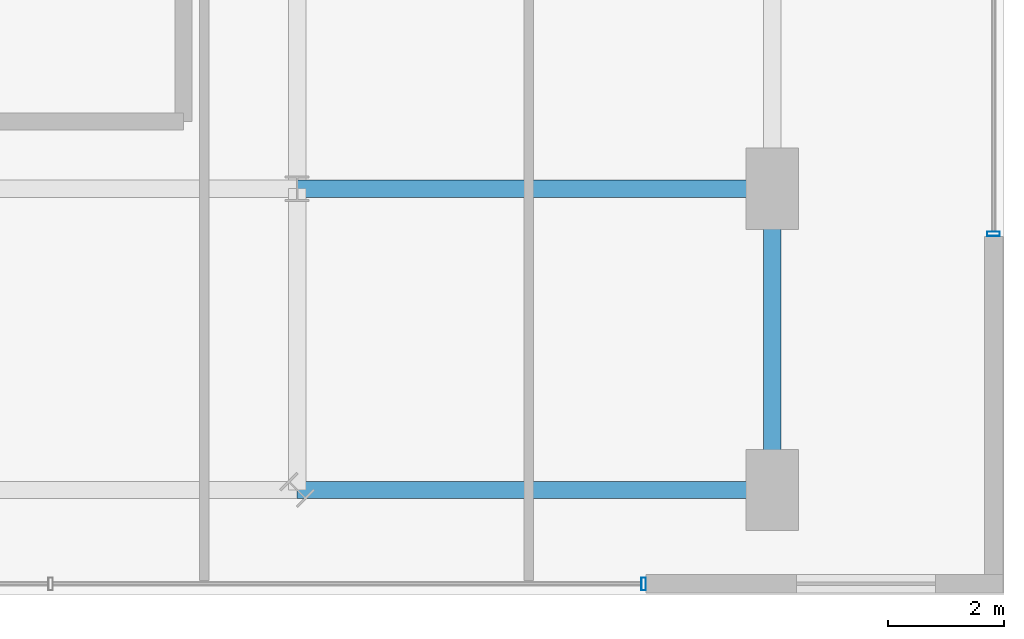
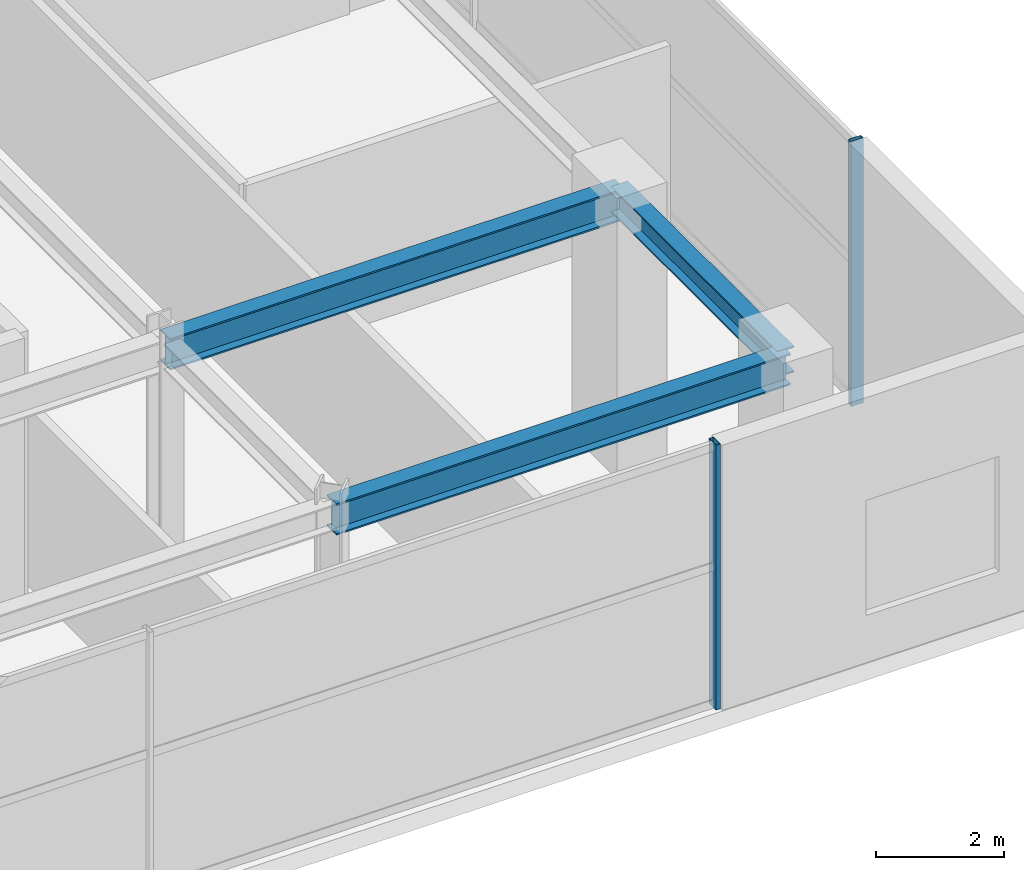
# One storey, part 21 of 32: 3 beams, 2 members, 2 elements without a shape of their own.
"""IFC4 building model written with IfcOpenShell, lengths in metres."""

from ifc_helpers import new_model, si_unit, direction, frame, origin, origin_2d, place, context, subcontext, project, spatial, hollow_rectangle, i_section, extrude, source, transform, mapped, material, material_profile, profile_set, type_object, element, aggregate, save


model = new_model("IFC4")

# Units and contexts
model_context = context("Model", 3, precision=1e-05, world=origin(), true_north=direction((0.0, 1.0)))
body_context = subcontext(model_context, "Body", "Model", "MODEL_VIEW")
ifc_project = project(units=[si_unit("LENGTHUNIT", "METRE"), si_unit("AREAUNIT", "SQUARE_METRE"), si_unit("VOLUMEUNIT", "CUBIC_METRE"), si_unit("PLANEANGLEUNIT", "RADIAN"), si_unit("MASSUNIT", "GRAM", prefix="KILO")], contexts=[model_context])

# Site, building, storey
site_placement = place(None, origin())
site = spatial("IfcSite", under=ifc_project, at=site_placement, CompositionType="ELEMENT")
building_placement = place(site_placement, origin())
building = spatial("IfcBuilding", under=site, at=building_placement, Name="Nahalor Promenade Grand Hotel", CompositionType="ELEMENT")
storey_placement = place(building_placement, frame((0.0, 0.0, 10.800048828125)))
storey = spatial("IfcBuildingStorey", under=building, at=storey_placement, Name="L02", CompositionType="ELEMENT", Elevation=10.800048828125)

# Beams
ifc_material_1 = material(Name="Steel S355JR", Category="steel")
ifc_material_profile_1 = material_profile(ifc_material_1, i_section(OverallWidth=0.3, OverallDepth=0.6, WebThickness=0.0155, FlangeThickness=0.03, at=origin_2d()), Name="HEB 600")
ifc_profile_set_1 = profile_set([ifc_material_profile_1], Name="Steel S355JR")
beam_type_1 = type_object("IfcBeamType", Name="Beam-Girder-HEB600", PredefinedType="BEAM", material=ifc_profile_set_1)
shared_shape_1 = source(origin(), body_context, "Body", "SweptSolid", [
    extrude(i_section(OverallWidth=0.3, OverallDepth=0.6, WebThickness=0.0155, FlangeThickness=0.03, at=origin_2d()), origin(), (0.0, 0.0, 1.0), 8.199951171875),
])
for number, where, z_axis, x_axis, name in (
    (1, (24.800048828125, -17.0, 4.760009765625), (1.0, 0.0, 0.0), (0.0, 1.0, 0.0), "BM-L02-GX-0-8"),
    (2, (24.800048828125, -22.199951171875, 4.760009765625), (1.0, 0.0, 0.0), (0.0, 1.0, 0.0), "BM-L02-TIE-PE--22"),
):
    element("IfcBeam", number, at=place(storey_placement, frame(where, z_axis=z_axis, x_axis=x_axis)), inside=storey, type_object=beam_type_1, Name=name, PredefinedType="BEAM", context=body_context, shape_type="MappedRepresentation", body=[
        mapped(shared_shape_1, transform((0.0, 0.0, 0.0), scale=1.0)),
    ])
ifc_material_profile_2 = material_profile(ifc_material_1, i_section(OverallWidth=0.3, OverallDepth=0.5, WebThickness=0.0145, FlangeThickness=0.028, at=origin_2d()), Name="HEB 500")
ifc_profile_set_2 = profile_set([ifc_material_profile_2], Name="Steel S355JR")
beam_type_2 = type_object("IfcBeamType", Name="Beam-Spandrel-HEB500", PredefinedType="SPANDREL", material=ifc_profile_set_2)
shared_shape_2 = source(origin(), body_context, "Body", "SweptSolid", [
    extrude(i_section(OverallWidth=0.3, OverallDepth=0.5, WebThickness=0.0145, FlangeThickness=0.028, at=origin_2d()), origin(), (0.0, 0.0, 1.0), 5.199951171875),
])
beam_placement = place(storey_placement, frame((33.0, -22.199951171875, 4.81005859375), z_axis=(0.0, 1.0, 0.0), x_axis=(-1.0, 0.0, 0.0)))
element("IfcBeam", 3, at=beam_placement, inside=storey, type_object=beam_type_2, Name="BM-L02-PE-0", PredefinedType="SPANDREL", context=body_context, shape_type="MappedRepresentation", body=[
    mapped(shared_shape_2, transform((0.0, 0.0, 0.0), scale=1.0)),
])

# Curtain wall, member
ifc_material_2 = material(Name="Anodised Bronze Aluminium EN AW-6063 T6", Category="aluminium")
curtain_wall_type = type_object("IfcCurtainWallType", Name="CW1 Waterfront Podium Bronze Arcade Curtain Wall", PredefinedType="USERDEFINED", material=ifc_material_2)
curtain_wall_1_placement = place(storey_placement, origin())
curtain_wall_1 = element("IfcCurtainWall", 4, at=curtain_wall_1_placement, inside=storey, type_object=curtain_wall_type, Name="L02 Curtain Wall CW-L02-S", ObjectType="UNITISED_CURTAIN_WALL", PredefinedType="USERDEFINED")
ifc_material_profile_3 = material_profile(ifc_material_2, hollow_rectangle(XDim=0.08, YDim=0.22, WallThickness=0.005, at=origin_2d()), Name="CWM 80x220x5")
ifc_profile_set_3 = profile_set([ifc_material_profile_3], Name="Anodised Bronze Aluminium EN AW-6063 T6")
member_type = type_object("IfcMemberType", Name="CWM1 Podium Bronze Mullion 80x220", PredefinedType="MULLION", material=ifc_profile_set_3)
shared_shape_3 = source(origin(), body_context, "Body", "SweptSolid", [
    extrude(hollow_rectangle(XDim=0.08, YDim=0.22, WallThickness=0.005, at=origin_2d()), origin(), (0.0, 0.0, 1.0), 5.06005859375),
])
member_1_placement = place(storey_placement, frame((30.780029296875, -23.820068359375, 0.0), z_axis=(0.0, 0.0, 1.0), x_axis=(1.0, 0.0, 0.0)))
member_1 = element("IfcMember", 5, at=member_1_placement, type_object=member_type, Name="CW-L02-S Mullion 6", PredefinedType="MULLION", context=body_context, shape_type="MappedRepresentation", body=[
    mapped(shared_shape_3, transform((0.0, 0.0, 0.0), scale=1.0)),
])
aggregate(curtain_wall_1, [member_1])

curtain_wall_2_placement = place(storey_placement, origin())
curtain_wall_2 = element("IfcCurtainWall", 6, at=curtain_wall_2_placement, inside=storey, type_object=curtain_wall_type, Name="L02 Curtain Wall CW-L02-E", ObjectType="UNITISED_CURTAIN_WALL", PredefinedType="USERDEFINED")
member_2_placement = place(storey_placement, frame((36.820068359375, -17.780029296875, 0.0), z_axis=(0.0, 0.0, 1.0), x_axis=(0.0, 1.0, 0.0)))
member_2 = element("IfcMember", 7, at=member_2_placement, type_object=member_type, Name="CW-L02-E Mullion 0", PredefinedType="MULLION", context=body_context, shape_type="MappedRepresentation", body=[
    mapped(shared_shape_3, transform((0.0, 0.0, 0.0), scale=1.0)),
])
aggregate(curtain_wall_2, [member_2])

save(model, "model.ifc")
